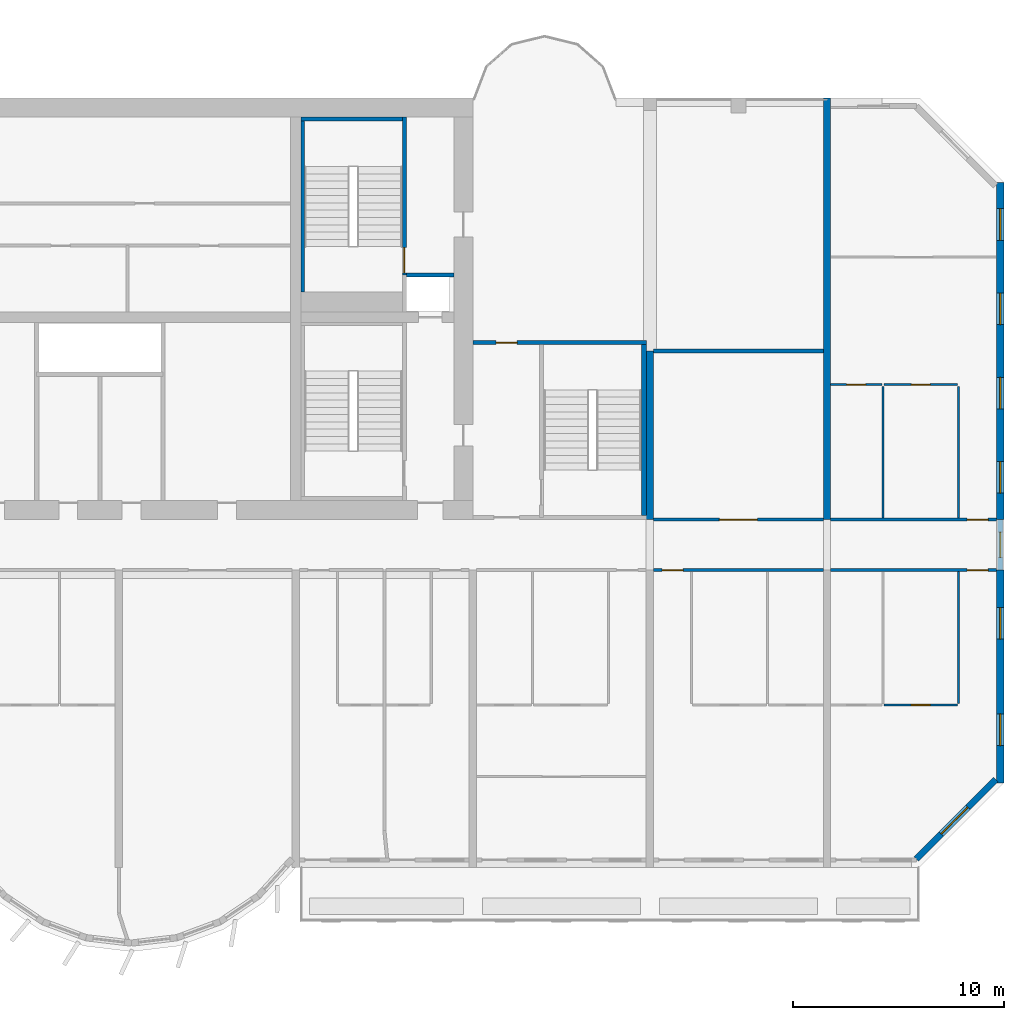
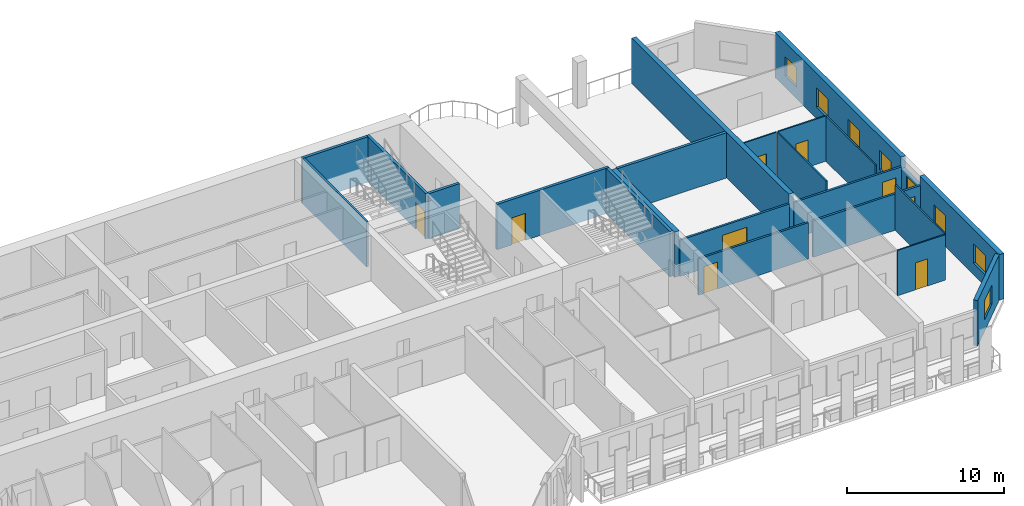
# One storey, part 10 of 14: 23 walls, 9 doors, 8 windows, 17 openings.
"""IFC4 building model written with IfcOpenShell, lengths in metres."""

from ifc_helpers import new_model, si_unit, direction, frame, frame_2d, origin, place, context, subcontext, project, spatial, rectangle, extrude, source, transform, mapped, material, layer, layer_set, type_object, element, fill, save


model = new_model("IFC4")

# Units and contexts
model_context = context("Model", 3, precision=1e-05, world=origin(), true_north=direction((0.0, 1.0)))
body_context = subcontext(model_context, "Body", "Model", "MODEL_VIEW")
ifc_project = project(units=[si_unit("LENGTHUNIT", "METRE"), si_unit("AREAUNIT", "SQUARE_METRE"), si_unit("VOLUMEUNIT", "CUBIC_METRE"), si_unit("PLANEANGLEUNIT", "RADIAN"), si_unit("MASSUNIT", "GRAM", prefix="KILO")], contexts=[model_context])

# Site, building, storey
site_placement = place(None, origin())
site = spatial("IfcSite", under=ifc_project, at=site_placement, CompositionType="ELEMENT")
building_placement = place(site_placement, origin())
building = spatial("IfcBuilding", under=site, at=building_placement, Name="Vanashikhar Sky Hotel", CompositionType="ELEMENT")
storey_placement = place(building_placement, frame((0.0, 0.0, 121.800048828125)))
storey = spatial("IfcBuildingStorey", under=building, at=storey_placement, Name="L29", CompositionType="ELEMENT", Elevation=121.800048828125)

# Wall, openings, windows
ifc_material_1 = material(Name="Concrete M70", Category="concrete")
ifc_layer_1 = layer(ifc_material_1, 0.35009765625)
ifc_layer_set_1 = layer_set([ifc_layer_1], Name="RC shear wall 350 Concrete M70")
wall_type_1 = type_object("IfcWallType", Name="RC shear wall 350 Concrete M70", PredefinedType="SHEAR", material=ifc_layer_set_1)
shared_shape_1 = source(origin(), body_context, "Body", "SweptSolid", [
    extrude(rectangle(XDim=10.10009765625, YDim=0.35009765625, at=frame_2d((5.050048828125, 0.0))), origin(), (0.0, 0.0, 1.0), 3.52001953125),
])
wall_1_placement = place(storey_placement, frame((100.625, 9.5, 0.0), z_axis=(0.0, 0.0, 1.0), x_axis=(0.0, 1.0, 0.0)))
wall_1 = element("IfcWall", 1, at=wall_1_placement, inside=storey, type_object=wall_type_1, Name="CW-L29-XW13-1", PredefinedType="SHEAR", context=body_context, shape_type="MappedRepresentation", body=[
    mapped(shared_shape_1, transform((0.0, 0.0, 0.0), scale=1.0)),
])
shared_shape_2 = source(origin(), body_context, "Body", "SweptSolid", [
    extrude(rectangle(XDim=1.5, YDim=1.5, at=frame_2d((0.75, 0.75))), frame((0.0, 0.18505859375, 0.0), z_axis=(0.0, -1.0, 0.0), x_axis=(1.0, 0.0, 0.0)), (0.0, 0.0, 1.0), 0.3701171875),
])
opening_1_placement = place(wall_1_placement, frame((1.77490234375, 0.0, 0.89990234375)))
opening_1 = element("IfcOpeningElement", 2, at=opening_1_placement, cuts=wall_1, Name="Opening WN-1", PredefinedType="OPENING", context=body_context, shape_type="MappedRepresentation", body=[
    mapped(shared_shape_2, transform((0.0, 0.0, 0.0), scale=1.0)),
])
opening_2_placement = place(wall_1_placement, frame((6.824951171875, 0.0, 0.89990234375)))
opening_2 = element("IfcOpeningElement", 3, at=opening_2_placement, cuts=wall_1, Name="Opening WN-1", PredefinedType="OPENING", context=body_context, shape_type="MappedRepresentation", body=[
    mapped(shared_shape_2, transform((0.0, 0.0, 0.0), scale=1.0)),
])
ifc_material_2 = material(Name="Glass", Category="glass")
window_type_1 = type_object("IfcWindowType", Name="Window 1500 x 1500", PartitioningType="SINGLE_PANEL", PredefinedType="WINDOW", material=ifc_material_2)
shared_shape_3 = source(origin(), body_context, "Body", "SweptSolid", [
    extrude(rectangle(XDim=1.5, YDim=1.5, at=frame_2d((0.75, 0.75))), frame((0.0, 0.030029296875, 0.0), z_axis=(0.0, -1.0, 0.0), x_axis=(1.0, 0.0, 0.0)), (0.0, 0.0, 1.0), 0.06005859375),
])
window_1_placement = place(opening_1_placement, origin())
window_1 = element("IfcWindow", 4, at=window_1_placement, inside=storey, type_object=window_type_1, Name="Window WN-1", OverallHeight=1.5, OverallWidth=1.5, PartitioningType="SINGLE_PANEL", PredefinedType="WINDOW", context=body_context, shape_type="MappedRepresentation", body=[
    mapped(shared_shape_3, transform((0.0, 0.0, 0.0), scale=1.0)),
])
fill(opening_1, window_1)
window_2_placement = place(opening_2_placement, origin())
window_2 = element("IfcWindow", 5, at=window_2_placement, inside=storey, type_object=window_type_1, Name="Window WN-1", OverallHeight=1.5, OverallWidth=1.5, PartitioningType="SINGLE_PANEL", PredefinedType="WINDOW", context=body_context, shape_type="MappedRepresentation", body=[
    mapped(shared_shape_3, transform((0.0, 0.0, 0.0), scale=1.0)),
])
fill(opening_2, window_2)

shared_shape_4 = source(origin(), body_context, "Body", "SweptSolid", [
    extrude(rectangle(XDim=16.0, YDim=0.35009765625, at=frame_2d((8.0, 0.0))), origin(), (0.0, 0.0, 1.0), 3.52001953125),
])
wall_2_placement = place(storey_placement, frame((100.625, 22.0, 0.0), z_axis=(0.0, 0.0, 1.0), x_axis=(0.0, 1.0, 0.0)))
wall_2 = element("IfcWall", 6, at=wall_2_placement, inside=storey, type_object=wall_type_1, Name="CW-L29-XW13-2", PredefinedType="SHEAR", context=body_context, shape_type="MappedRepresentation", body=[
    mapped(shared_shape_4, transform((0.0, 0.0, 0.0), scale=1.0)),
])
opening_3_placement = place(wall_2_placement, frame((1.25, 0.0, 0.89990234375)))
opening_3 = element("IfcOpeningElement", 7, at=opening_3_placement, cuts=wall_2, Name="Opening WN-1", PredefinedType="OPENING", context=body_context, shape_type="MappedRepresentation", body=[
    mapped(shared_shape_2, transform((0.0, 0.0, 0.0), scale=1.0)),
])
opening_4_placement = place(wall_2_placement, frame((5.25, 0.0, 0.89990234375)))
opening_4 = element("IfcOpeningElement", 8, at=opening_4_placement, cuts=wall_2, Name="Opening WN-1", PredefinedType="OPENING", context=body_context, shape_type="MappedRepresentation", body=[
    mapped(shared_shape_2, transform((0.0, 0.0, 0.0), scale=1.0)),
])
opening_5_placement = place(wall_2_placement, frame((9.25, 0.0, 0.89990234375)))
opening_5 = element("IfcOpeningElement", 9, at=opening_5_placement, cuts=wall_2, Name="Opening WN-1", PredefinedType="OPENING", context=body_context, shape_type="MappedRepresentation", body=[
    mapped(shared_shape_2, transform((0.0, 0.0, 0.0), scale=1.0)),
])
opening_6_placement = place(wall_2_placement, frame((13.25, 0.0, 0.89990234375)))
opening_6 = element("IfcOpeningElement", 10, at=opening_6_placement, cuts=wall_2, Name="Opening WN-1", PredefinedType="OPENING", context=body_context, shape_type="MappedRepresentation", body=[
    mapped(shared_shape_2, transform((0.0, 0.0, 0.0), scale=1.0)),
])
window_3_placement = place(opening_3_placement, origin())
window_3 = element("IfcWindow", 11, at=window_3_placement, inside=storey, type_object=window_type_1, Name="Window WN-1", OverallHeight=1.5, OverallWidth=1.5, PartitioningType="SINGLE_PANEL", PredefinedType="WINDOW", context=body_context, shape_type="MappedRepresentation", body=[
    mapped(shared_shape_3, transform((0.0, 0.0, 0.0), scale=1.0)),
])
fill(opening_3, window_3)
window_4_placement = place(opening_4_placement, origin())
window_4 = element("IfcWindow", 12, at=window_4_placement, inside=storey, type_object=window_type_1, Name="Window WN-1", OverallHeight=1.5, OverallWidth=1.5, PartitioningType="SINGLE_PANEL", PredefinedType="WINDOW", context=body_context, shape_type="MappedRepresentation", body=[
    mapped(shared_shape_3, transform((0.0, 0.0, 0.0), scale=1.0)),
])
fill(opening_4, window_4)
window_5_placement = place(opening_5_placement, origin())
window_5 = element("IfcWindow", 13, at=window_5_placement, inside=storey, type_object=window_type_1, Name="Window WN-1", OverallHeight=1.5, OverallWidth=1.5, PartitioningType="SINGLE_PANEL", PredefinedType="WINDOW", context=body_context, shape_type="MappedRepresentation", body=[
    mapped(shared_shape_3, transform((0.0, 0.0, 0.0), scale=1.0)),
])
fill(opening_5, window_5)
window_6_placement = place(opening_6_placement, origin())
window_6 = element("IfcWindow", 14, at=window_6_placement, inside=storey, type_object=window_type_1, Name="Window WN-1", OverallHeight=1.5, OverallWidth=1.5, PartitioningType="SINGLE_PANEL", PredefinedType="WINDOW", context=body_context, shape_type="MappedRepresentation", body=[
    mapped(shared_shape_3, transform((0.0, 0.0, 0.0), scale=1.0)),
])
fill(opening_6, window_6)

# Walls
shared_shape_5 = source(origin(), body_context, "Body", "SweptSolid", [
    extrude(rectangle(XDim=20.0, YDim=0.35009765625, at=frame_2d((10.0, 0.0))), origin(), (0.0, 0.0, 1.0), 3.52001953125),
])
wall_3_placement = place(storey_placement, frame((92.39990234375, 22.0, 0.0), z_axis=(0.0, 0.0, 1.0), x_axis=(0.0, 1.0, 0.0)))
element("IfcWall", 15, at=wall_3_placement, inside=storey, type_object=wall_type_1, Name="CW-L29-XW12-2", PredefinedType="SHEAR", context=body_context, shape_type="MappedRepresentation", body=[
    mapped(shared_shape_5, transform((0.0, 0.0, 0.0), scale=1.0)),
])
shared_shape_6 = source(origin(), body_context, "Body", "SweptSolid", [
    extrude(rectangle(XDim=8.0, YDim=0.35009765625, at=frame_2d((4.0, 0.0))), origin(), (0.0, 0.0, 1.0), 3.52001953125),
])
wall_4_placement = place(storey_placement, frame((84.0, 22.0, 0.0), z_axis=(0.0, 0.0, 1.0), x_axis=(0.0, 1.0, 0.0)))
element("IfcWall", 16, at=wall_4_placement, inside=storey, type_object=wall_type_1, Name="CW-L29-XW11-2", PredefinedType="SHEAR", context=body_context, shape_type="MappedRepresentation", body=[
    mapped(shared_shape_6, transform((0.0, 0.0, 0.0), scale=1.0)),
])

# Wall, opening, window
ifc_material_3 = material(Name="Concrete M50", Category="concrete")
ifc_layer_2 = layer(ifc_material_3, 0.300048828125)
ifc_layer_set_2 = layer_set([ifc_layer_2], Name="Lobe wall 300")
wall_type_2 = type_object("IfcWallType", Name="Lobe wall 300", PredefinedType="SOLIDWALL", material=ifc_layer_set_2)
shared_shape_7 = source(origin(), body_context, "Body", "SweptSolid", [
    extrude(rectangle(XDim=5.32568359375, YDim=0.300048828125, at=frame_2d((2.662841796875, 0.0))), origin(), (0.0, 0.0, 1.0), 3.52001953125),
])
wall_5_placement = place(storey_placement, frame((96.63427734375, 5.89990234375, 0.0), z_axis=(0.0, 0.0, 1.0), x_axis=(0.707083859269, 0.707129702361, 0.0)))
wall_5 = element("IfcWall", 17, at=wall_5_placement, inside=storey, type_object=wall_type_2, Name="Corner wall", PredefinedType="SOLIDWALL", context=body_context, shape_type="MappedRepresentation", body=[
    mapped(shared_shape_7, transform((0.0, 0.0, 0.0), scale=1.0)),
])
shared_shape_8 = source(origin(), body_context, "Body", "SweptSolid", [
    extrude(rectangle(XDim=1.800048828125, YDim=1.5, at=frame_2d((0.89990234375, 0.75))), frame((0.0, 0.16015625, 0.0), z_axis=(0.0, -1.0, 0.0), x_axis=(1.0, 0.0, 0.0)), (0.0, 0.0, 1.0), 0.320068359375),
])
opening_7_placement = place(wall_5_placement, frame((1.671875, 0.0, 0.89990234375)))
opening_7 = element("IfcOpeningElement", 18, at=opening_7_placement, cuts=wall_5, Name="Opening WN-4", PredefinedType="OPENING", context=body_context, shape_type="MappedRepresentation", body=[
    mapped(shared_shape_8, transform((0.0, 0.0, 0.0), scale=1.0)),
])
window_type_2 = type_object("IfcWindowType", Name="Corner window 1800 x 1500", PartitioningType="SINGLE_PANEL", PredefinedType="WINDOW", material=ifc_material_2)
shared_shape_9 = source(origin(), body_context, "Body", "SweptSolid", [
    extrude(rectangle(XDim=1.800048828125, YDim=1.5, at=frame_2d((0.89990234375, 0.75))), frame((0.0, 0.030029296875, 0.0), z_axis=(0.0, -1.0, 0.0), x_axis=(1.0, 0.0, 0.0)), (0.0, 0.0, 1.0), 0.06005859375),
])
window_7_placement = place(opening_7_placement, origin())
window_7 = element("IfcWindow", 19, at=window_7_placement, inside=storey, type_object=window_type_2, Name="Window WN-4", OverallHeight=1.5, OverallWidth=1.800048828125, PartitioningType="SINGLE_PANEL", PredefinedType="WINDOW", context=body_context, shape_type="MappedRepresentation", body=[
    mapped(shared_shape_9, transform((0.0, 0.0, 0.0), scale=1.0)),
])
fill(opening_7, window_7)

ifc_layer_3 = layer(ifc_material_3, 0.25)
ifc_layer_set_3 = layer_set([ifc_layer_3], Name="Rear and end board-marked wall 250")
wall_type_3 = type_object("IfcWallType", Name="Rear and end board-marked wall 250", PredefinedType="SOLIDWALL", material=ifc_layer_set_3)
shared_shape_10 = source(origin(), body_context, "Body", "SweptSolid", [
    extrude(rectangle(XDim=2.39990234375, YDim=0.25, at=frame_2d((1.199951171875, 0.0))), origin(), (0.0, 0.0, 1.0), 2.619873046875),
])
wall_6_placement = place(storey_placement, frame((100.625, 19.60009765625, 0.0), z_axis=(0.0, 0.0, 1.0), x_axis=(0.0, 1.0, 0.0)))
wall_6 = element("IfcWall", 20, at=wall_6_placement, inside=storey, type_object=wall_type_3, Name="End corridor infill wall", PredefinedType="SOLIDWALL", context=body_context, shape_type="MappedRepresentation", body=[
    mapped(shared_shape_10, transform((0.0, 0.0, 0.0), scale=1.0)),
])
shared_shape_11 = source(origin(), body_context, "Body", "SweptSolid", [
    extrude(rectangle(XDim=1.199951171875, YDim=1.5, at=frame_2d((0.60009765625, 0.75))), frame((0.0, 0.135009765625, 0.0), z_axis=(0.0, -1.0, 0.0), x_axis=(1.0, 0.0, 0.0)), (0.0, 0.0, 1.0), 0.27001953125),
])
opening_8_placement = place(wall_6_placement, frame((0.60009765625, 0.0, 0.89990234375)))
opening_8 = element("IfcOpeningElement", 21, at=opening_8_placement, cuts=wall_6, Name="Opening WN-3", PredefinedType="OPENING", context=body_context, shape_type="MappedRepresentation", body=[
    mapped(shared_shape_11, transform((0.0, 0.0, 0.0), scale=1.0)),
])
window_type_3 = type_object("IfcWindowType", Name="Corridor end window 1200 x 1500", PartitioningType="SINGLE_PANEL", PredefinedType="WINDOW", material=ifc_material_2)
shared_shape_12 = source(origin(), body_context, "Body", "SweptSolid", [
    extrude(rectangle(XDim=1.199951171875, YDim=1.5, at=frame_2d((0.60009765625, 0.75))), frame((0.0, 0.030029296875, 0.0), z_axis=(0.0, -1.0, 0.0), x_axis=(1.0, 0.0, 0.0)), (0.0, 0.0, 1.0), 0.06005859375),
])
window_8_placement = place(opening_8_placement, origin())
window_8 = element("IfcWindow", 22, at=window_8_placement, inside=storey, type_object=window_type_3, Name="Window WN-3", OverallHeight=1.5, OverallWidth=1.199951171875, PartitioningType="SINGLE_PANEL", PredefinedType="WINDOW", context=body_context, shape_type="MappedRepresentation", body=[
    mapped(shared_shape_12, transform((0.0, 0.0, 0.0), scale=1.0)),
])
fill(opening_8, window_8)

# Wall, opening, door
ifc_layer_4 = layer(ifc_material_3, 0.199951171875)
ifc_layer_set_4 = layer_set([ifc_layer_4], Name="Stair wall 200")
wall_type_4 = type_object("IfcWallType", Name="Stair wall 200", PredefinedType="SOLIDWALL", material=ifc_layer_set_4)
shared_shape_13 = source(origin(), body_context, "Body", "SweptSolid", [
    extrude(rectangle(XDim=7.5, YDim=0.199951171875, at=frame_2d((3.75, 0.0))), origin(), (0.0, 0.0, 1.0), 3.52001953125),
])
wall_7_placement = place(storey_placement, frame((72.35009765625, 33.60009765625, 0.0), z_axis=(0.0, 0.0, 1.0), x_axis=(0.0, 1.0, 0.0)))
wall_7 = element("IfcWall", 23, at=wall_7_placement, inside=storey, type_object=wall_type_4, Name="Stair wall 200", PredefinedType="SOLIDWALL", context=body_context, shape_type="MappedRepresentation", body=[
    mapped(shared_shape_13, transform((0.0, 0.0, 0.0), scale=1.0)),
])
shared_shape_14 = source(origin(), body_context, "Body", "SweptSolid", [
    extrude(rectangle(XDim=1.199951171875, YDim=2.10009765625, at=frame_2d((0.60009765625, 1.050048828125))), frame((0.0, 0.10986328125, 0.0), z_axis=(0.0, -1.0, 0.0), x_axis=(1.0, 0.0, 0.0)), (0.0, 0.0, 1.0), 0.219970703125),
])
opening_9_placement = place(wall_7_placement, frame((0.10009765625, 0.0, 0.0)))
opening_9 = element("IfcOpeningElement", 24, at=opening_9_placement, cuts=wall_7, Name="Opening DC-1", PredefinedType="OPENING", context=body_context, shape_type="MappedRepresentation", body=[
    mapped(shared_shape_14, transform((0.0, 0.0, 0.0), scale=1.0)),
])
ifc_material_4 = material(Name="Steel", Category="steel")
door_type_1 = type_object("IfcDoorType", Name="Stair door 1200 FD120", OperationType="NOTDEFINED", PredefinedType="DOOR", material=ifc_material_4)
shared_shape_15 = source(origin(), body_context, "Body", "SweptSolid", [
    extrude(rectangle(XDim=1.199951171875, YDim=2.10009765625, at=frame_2d((0.60009765625, 1.050048828125))), frame((0.0, 0.02490234375, 0.0), z_axis=(0.0, -1.0, 0.0), x_axis=(1.0, 0.0, 0.0)), (0.0, 0.0, 1.0), 0.050048828125),
])
door_1_placement = place(opening_9_placement, origin())
door_1 = element("IfcDoor", 25, at=door_1_placement, inside=storey, type_object=door_type_1, Name="Stair door 1200 FD120", OperationType="SINGLE_SWING_RIGHT", OverallHeight=2.10009765625, OverallWidth=1.199951171875, PredefinedType="DOOR", context=body_context, shape_type="MappedRepresentation", body=[
    mapped(shared_shape_15, transform((0.0, 0.0, 0.0), scale=1.0)),
])
fill(opening_9, door_1)

# Wall
ifc_material_5 = material(Name="Concrete M40", Category="concrete")
ifc_layer_5 = layer(ifc_material_5, 0.199951171875)
ifc_layer_set_5 = layer_set([ifc_layer_5], Name="Shaft wall 200")
wall_type_5 = type_object("IfcWallType", Name="Shaft wall 200", PredefinedType="SOLIDWALL", material=ifc_layer_set_5)
shared_shape_16 = source(origin(), body_context, "Body", "SweptSolid", [
    extrude(rectangle(XDim=2.25, YDim=0.199951171875, at=frame_2d((1.125, 0.0))), origin(), (0.0, 0.0, 1.0), 3.52001953125),
])
wall_8_placement = place(storey_placement, frame((72.449951171875, 33.60009765625, 0.0), z_axis=(0.0, 0.0, 1.0), x_axis=(1.0, 0.0, 0.0)))
element("IfcWall", 26, at=wall_8_placement, inside=storey, type_object=wall_type_5, Name="Shaft wall 200", PredefinedType="SOLIDWALL", context=body_context, shape_type="MappedRepresentation", body=[
    mapped(shared_shape_16, transform((0.0, 0.0, 0.0), scale=1.0)),
])

# Wall, opening, door
shared_shape_17 = source(origin(), body_context, "Body", "SweptSolid", [
    extrude(rectangle(XDim=8.224853515625, YDim=0.199951171875, at=frame_2d((4.1123046875, 0.0))), origin(), (0.0, 0.0, 1.0), 3.52001953125),
])
wall_9_placement = place(storey_placement, frame((83.824951171875, 30.39990234375, 0.0), z_axis=(0.0, 0.0, 1.0), x_axis=(-1.0, 0.0, 0.0)))
wall_9 = element("IfcWall", 27, at=wall_9_placement, inside=storey, type_object=wall_type_4, Name="Stair wall 200", PredefinedType="SOLIDWALL", context=body_context, shape_type="MappedRepresentation", body=[
    mapped(shared_shape_17, transform((0.0, 0.0, 0.0), scale=1.0)),
])
shared_shape_18 = source(origin(), body_context, "Body", "SweptSolid", [
    extrude(rectangle(XDim=1.0, YDim=2.10009765625, at=frame_2d((0.5, 1.050048828125))), frame((0.0, 0.10986328125, 0.0), z_axis=(0.0, -1.0, 0.0), x_axis=(1.0, 0.0, 0.0)), (0.0, 0.0, 1.0), 0.219970703125),
])
opening_10_placement = place(wall_9_placement, frame((6.125, 0.0, 0.0)))
opening_10 = element("IfcOpeningElement", 28, at=opening_10_placement, cuts=wall_9, Name="Opening DC-6", PredefinedType="OPENING", context=body_context, shape_type="MappedRepresentation", body=[
    mapped(shared_shape_18, transform((0.0, 0.0, 0.0), scale=1.0)),
])
door_type_2 = type_object("IfcDoorType", Name="Pocket door 1000 FD60", OperationType="NOTDEFINED", PredefinedType="DOOR", material=ifc_material_4)
shared_shape_19 = source(origin(), body_context, "Body", "SweptSolid", [
    extrude(rectangle(XDim=1.0, YDim=2.10009765625, at=frame_2d((0.5, 1.050048828125))), frame((0.0, 0.02490234375, 0.0), z_axis=(0.0, -1.0, 0.0), x_axis=(1.0, 0.0, 0.0)), (0.0, 0.0, 1.0), 0.050048828125),
])
door_2_placement = place(opening_10_placement, origin())
door_2 = element("IfcDoor", 29, at=door_2_placement, inside=storey, type_object=door_type_2, Name="Pocket door 1000 FD60", OperationType="SINGLE_SWING_RIGHT", OverallHeight=2.10009765625, OverallWidth=1.0, PredefinedType="DOOR", context=body_context, shape_type="MappedRepresentation", body=[
    mapped(shared_shape_19, transform((0.0, 0.0, 0.0), scale=1.0)),
])
fill(opening_10, door_2)

# Walls
ifc_layer_6 = layer(ifc_material_3, 0.199951171875)
ifc_layer_set_6 = layer_set([ifc_layer_6], Name="Stair infill wall 200")
wall_type_6 = type_object("IfcWallType", Name="Stair infill wall 200", PredefinedType="SOLIDWALL", material=ifc_layer_set_6)
shared_shape_20 = source(origin(), body_context, "Body", "SweptSolid", [
    extrude(rectangle(XDim=4.800048828125, YDim=0.199951171875, at=frame_2d((2.39990234375, 0.0))), origin(), (0.0, 0.0, 1.0), 3.52001953125),
])
wall_10_placement = place(storey_placement, frame((67.449951171875, 41.0, 0.0), z_axis=(0.0, 0.0, 1.0), x_axis=(1.0, 0.0, 0.0)))
element("IfcWall", 30, at=wall_10_placement, inside=storey, type_object=wall_type_6, Name="Stair infill wall 200", PredefinedType="SOLIDWALL", context=body_context, shape_type="MappedRepresentation", body=[
    mapped(shared_shape_20, transform((0.0, 0.0, 0.0), scale=1.0)),
])
ifc_layer_7 = layer(ifc_material_3, 0.14990234375)
ifc_layer_set_7 = layer_set([ifc_layer_7], Name="Stair infill wall 150")
wall_type_7 = type_object("IfcWallType", Name="Stair infill wall 150", PredefinedType="SOLIDWALL", material=ifc_layer_set_7)
shared_shape_21 = source(origin(), body_context, "Body", "SweptSolid", [
    extrude(rectangle(XDim=8.099853515625, YDim=0.14990234375, at=frame_2d((4.0498046875, 0.0))), origin(), (0.0, 0.0, 1.0), 3.52001953125),
])
wall_11_placement = place(storey_placement, frame((67.52490234375, 32.800048828125, 0.0), z_axis=(0.0, 0.0, 1.0), x_axis=(0.0, 1.0, 0.0)))
element("IfcWall", 31, at=wall_11_placement, inside=storey, type_object=wall_type_7, Name="Stair infill wall 150", PredefinedType="SOLIDWALL", context=body_context, shape_type="MappedRepresentation", body=[
    mapped(shared_shape_21, transform((0.0, 0.0, 0.0), scale=1.0)),
])
ifc_layer_8 = layer(ifc_material_3, 0.22509765625)
ifc_layer_set_8 = layer_set([ifc_layer_8], Name="Stair infill wall 225")
wall_type_8 = type_object("IfcWallType", Name="Stair infill wall 225", PredefinedType="SOLIDWALL", material=ifc_layer_set_8)
shared_shape_22 = source(origin(), body_context, "Body", "SweptSolid", [
    extrude(rectangle(XDim=8.10009765625, YDim=0.22509765625, at=frame_2d((4.050048828125, 0.0))), origin(), (0.0, 0.0, 1.0), 3.52001953125),
])
wall_12_placement = place(storey_placement, frame((83.712890625, 22.199951171875, 0.0), z_axis=(0.0, 0.0, 1.0), x_axis=(0.0, 1.0, 0.0)))
element("IfcWall", 32, at=wall_12_placement, inside=storey, type_object=wall_type_8, Name="Stair infill wall 225", PredefinedType="SOLIDWALL", context=body_context, shape_type="MappedRepresentation", body=[
    mapped(shared_shape_22, transform((0.0, 0.0, 0.0), scale=1.0)),
])

# Wall, opening, door
ifc_material_6 = material(Name="Gypsum plasterboard partition")
ifc_layer_9 = layer(ifc_material_6, 0.10009765625)
ifc_layer_set_9 = layer_set([ifc_layer_9], Name="Wet room partition 100")
wall_type_9 = type_object("IfcWallType", Name="Wet room partition 100", PredefinedType="PARTITIONING", material=ifc_layer_set_9)
shared_shape_23 = source(origin(), body_context, "Body", "SweptSolid", [
    extrude(rectangle(XDim=3.5, YDim=0.10009765625, at=frame_2d((1.75, 0.0))), origin(), (0.0, 0.0, 1.0), 3.52001953125),
])
wall_13_placement = place(storey_placement, frame((95.10009765625, 13.199951171875, 0.0), z_axis=(0.0, 0.0, 1.0), x_axis=(1.0, 0.0, 0.0)))
wall_13 = element("IfcWall", 33, at=wall_13_placement, inside=storey, type_object=wall_type_9, Name="W-L29-PW054", PredefinedType="PARTITIONING", context=body_context, shape_type="MappedRepresentation", body=[
    mapped(shared_shape_23, transform((0.0, 0.0, 0.0), scale=1.0)),
])
shared_shape_24 = source(origin(), body_context, "Body", "SweptSolid", [
    extrude(rectangle(XDim=0.89990234375, YDim=2.10009765625, at=frame_2d((0.449951171875, 1.050048828125))), frame((0.0, 0.06005859375, 0.0), z_axis=(0.0, -1.0, 0.0), x_axis=(1.0, 0.0, 0.0)), (0.0, 0.0, 1.0), 0.1201171875),
])
opening_11_placement = place(wall_13_placement, frame((1.300048828125, 0.0, 0.0)))
opening_11 = element("IfcOpeningElement", 34, at=opening_11_placement, cuts=wall_13, Name="Opening D-02", PredefinedType="OPENING", context=body_context, shape_type="MappedRepresentation", body=[
    mapped(shared_shape_24, transform((0.0, 0.0, 0.0), scale=1.0)),
])
ifc_material_7 = material(Name="Timber door", Category="wood")
door_type_3 = type_object("IfcDoorType", Name="Internal door 900", OperationType="NOTDEFINED", PredefinedType="DOOR", material=ifc_material_7)
shared_shape_25 = source(origin(), body_context, "Body", "SweptSolid", [
    extrude(rectangle(XDim=0.89990234375, YDim=2.10009765625, at=frame_2d((0.449951171875, 1.050048828125))), frame((0.0, 0.02490234375, 0.0), z_axis=(0.0, -1.0, 0.0), x_axis=(1.0, 0.0, 0.0)), (0.0, 0.0, 1.0), 0.050048828125),
])
door_3_placement = place(opening_11_placement, origin())
door_3 = element("IfcDoor", 35, at=door_3_placement, inside=storey, type_object=door_type_3, Name="D-L29-033", OperationType="SINGLE_SWING_RIGHT", OverallHeight=2.10009765625, OverallWidth=0.89990234375, PredefinedType="DOOR", context=body_context, shape_type="MappedRepresentation", body=[
    mapped(shared_shape_25, transform((0.0, 0.0, 0.0), scale=1.0)),
])
fill(opening_11, door_3)

wall_14_placement = place(storey_placement, frame((95.10009765625, 28.39990234375, 0.0), z_axis=(0.0, 0.0, 1.0), x_axis=(1.0, 0.0, 0.0)))
wall_14 = element("IfcWall", 36, at=wall_14_placement, inside=storey, type_object=wall_type_9, Name="W-L29-PW075", PredefinedType="PARTITIONING", context=body_context, shape_type="MappedRepresentation", body=[
    mapped(shared_shape_23, transform((0.0, 0.0, 0.0), scale=1.0)),
])
opening_12_placement = place(wall_14_placement, frame((1.300048828125, 0.0, 0.0)))
opening_12 = element("IfcOpeningElement", 37, at=opening_12_placement, cuts=wall_14, Name="Opening D-02", PredefinedType="OPENING", context=body_context, shape_type="MappedRepresentation", body=[
    mapped(shared_shape_24, transform((0.0, 0.0, 0.0), scale=1.0)),
])
door_4_placement = place(opening_12_placement, origin())
door_4 = element("IfcDoor", 38, at=door_4_placement, inside=storey, type_object=door_type_3, Name="D-L29-044", OperationType="SINGLE_SWING_RIGHT", OverallHeight=2.10009765625, OverallWidth=0.89990234375, PredefinedType="DOOR", context=body_context, shape_type="MappedRepresentation", body=[
    mapped(shared_shape_25, transform((0.0, 0.0, 0.0), scale=1.0)),
])
fill(opening_12, door_4)

# Walls
shared_shape_26 = source(origin(), body_context, "Body", "SweptSolid", [
    extrude(rectangle(XDim=6.25, YDim=0.10009765625, at=frame_2d((3.125, 0.0))), origin(), (0.0, 0.0, 1.0), 3.52001953125),
])
for number, where, z_axis, x_axis, name in (
    (39, (98.64990234375, 13.27490234375, 0.0), (0.0, 0.0, 1.0), (0.0, 1.0, 0.0), "W-L29-PW052"),
    (40, (98.64990234375, 22.074951171875, 0.0), (0.0, 0.0, 1.0), (0.0, 1.0, 0.0), "W-L29-PW073"),
    (41, (95.050048828125, 22.074951171875, 0.0), (0.0, 0.0, 1.0), (0.0, 1.0, 0.0), "W-L29-PW074"),
):
    element("IfcWall", number, at=place(storey_placement, frame(where, z_axis=z_axis, x_axis=x_axis)), inside=storey, type_object=wall_type_9, Name=name, PredefinedType="PARTITIONING", context=body_context, shape_type="MappedRepresentation", body=[
        mapped(shared_shape_26, transform((0.0, 0.0, 0.0), scale=1.0)),
    ])

# Wall, opening, door
ifc_layer_10 = layer(ifc_material_6, 0.14990234375)
ifc_layer_set_10 = layer_set([ifc_layer_10], Name="Corridor and demising partition 150")
wall_type_10 = type_object("IfcWallType", Name="Corridor and demising partition 150", PredefinedType="PARTITIONING", material=ifc_layer_set_10)
shared_shape_27 = source(origin(), body_context, "Body", "SweptSolid", [
    extrude(rectangle(XDim=8.050048828125, YDim=0.14990234375, at=frame_2d((4.02490234375, 0.0))), origin(), (0.0, 0.0, 1.0), 2.820068359375),
])
wall_15_placement = place(storey_placement, frame((84.175048828125, 19.60009765625, 0.0), z_axis=(0.0, 0.0, 1.0), x_axis=(1.0, 0.0, 0.0)))
wall_15 = element("IfcWall", 42, at=wall_15_placement, inside=storey, type_object=wall_type_10, Name="W-L29-PW051", PredefinedType="PARTITIONING", context=body_context, shape_type="MappedRepresentation", body=[
    mapped(shared_shape_27, transform((0.0, 0.0, 0.0), scale=1.0)),
])
shared_shape_28 = source(origin(), body_context, "Body", "SweptSolid", [
    extrude(rectangle(XDim=1.0, YDim=2.10009765625, at=frame_2d((0.5, 1.050048828125))), frame((0.0, 0.0849609375, 0.0), z_axis=(0.0, -1.0, 0.0), x_axis=(1.0, 0.0, 0.0)), (0.0, 0.0, 1.0), 0.169921875),
])
opening_13_placement = place(wall_15_placement, frame((0.39990234375, 0.0, 0.0)))
opening_13 = element("IfcOpeningElement", 43, at=opening_13_placement, cuts=wall_15, Name="Opening D-01", PredefinedType="OPENING", context=body_context, shape_type="MappedRepresentation", body=[
    mapped(shared_shape_28, transform((0.0, 0.0, 0.0), scale=1.0)),
])
ifc_material_8 = material(Name="Timber fire door", Category="wood")
door_type_4 = type_object("IfcDoorType", Name="Guest entry door 1000 FD30S", OperationType="NOTDEFINED", PredefinedType="DOOR", material=ifc_material_8)
door_5_placement = place(opening_13_placement, origin())
door_5 = element("IfcDoor", 44, at=door_5_placement, inside=storey, type_object=door_type_4, Name="D-L29-032", OperationType="SINGLE_SWING_LEFT", OverallHeight=2.10009765625, OverallWidth=1.0, PredefinedType="DOOR", context=body_context, shape_type="MappedRepresentation", body=[
    mapped(shared_shape_19, transform((0.0, 0.0, 0.0), scale=1.0)),
])
fill(opening_13, door_5)

wall_16_placement = place(storey_placement, frame((84.175048828125, 22.0, 0.0), z_axis=(0.0, 0.0, 1.0), x_axis=(1.0, 0.0, 0.0)))
wall_16 = element("IfcWall", 45, at=wall_16_placement, inside=storey, type_object=wall_type_10, Name="W-L29-PW071", PredefinedType="PARTITIONING", context=body_context, shape_type="MappedRepresentation", body=[
    mapped(shared_shape_27, transform((0.0, 0.0, 0.0), scale=1.0)),
])
shared_shape_29 = source(origin(), body_context, "Body", "SweptSolid", [
    extrude(rectangle(XDim=1.800048828125, YDim=2.10009765625, at=frame_2d((0.89990234375, 1.050048828125))), frame((0.0, 0.0849609375, 0.0), z_axis=(0.0, -1.0, 0.0), x_axis=(1.0, 0.0, 0.0)), (0.0, 0.0, 1.0), 0.169921875),
])
opening_14_placement = place(wall_16_placement, frame((3.125, 0.0, 0.0)))
opening_14 = element("IfcOpeningElement", 46, at=opening_14_placement, cuts=wall_16, Name="Opening D-03", PredefinedType="OPENING", context=body_context, shape_type="MappedRepresentation", body=[
    mapped(shared_shape_29, transform((0.0, 0.0, 0.0), scale=1.0)),
])
door_type_5 = type_object("IfcDoorType", Name="Double leaf door 1800 FD30S", OperationType="NOTDEFINED", PredefinedType="DOOR", material=ifc_material_8)
shared_shape_30 = source(origin(), body_context, "Body", "SweptSolid", [
    extrude(rectangle(XDim=1.800048828125, YDim=2.10009765625, at=frame_2d((0.89990234375, 1.050048828125))), frame((0.0, 0.02490234375, 0.0), z_axis=(0.0, -1.0, 0.0), x_axis=(1.0, 0.0, 0.0)), (0.0, 0.0, 1.0), 0.050048828125),
])
door_6_placement = place(opening_14_placement, origin())
door_6 = element("IfcDoor", 47, at=door_6_placement, inside=storey, type_object=door_type_5, Name="D-L29-043", OperationType="DOUBLE_DOOR_SINGLE_SWING", OverallHeight=2.10009765625, OverallWidth=1.800048828125, PredefinedType="DOOR", context=body_context, shape_type="MappedRepresentation", body=[
    mapped(shared_shape_30, transform((0.0, 0.0, 0.0), scale=1.0)),
])
fill(opening_14, door_6)

# Wall
ifc_material_9 = material(Name="Masonry partition", Category="masonry")
ifc_layer_11 = layer(ifc_material_9, 0.199951171875)
ifc_layer_set_11 = layer_set([ifc_layer_11], Name="Refuge enclosure wall 200")
wall_type_11 = type_object("IfcWallType", Name="Refuge enclosure wall 200", PredefinedType="PARTITIONING", material=ifc_layer_set_11)
shared_shape_31 = source(origin(), body_context, "Body", "SweptSolid", [
    extrude(rectangle(XDim=8.050048828125, YDim=0.199951171875, at=frame_2d((4.02490234375, 0.0))), origin(), (0.0, 0.0, 1.0), 3.52001953125),
])
wall_17_placement = place(storey_placement, frame((84.175048828125, 30.0, 0.0), z_axis=(0.0, 0.0, 1.0), x_axis=(1.0, 0.0, 0.0)))
element("IfcWall", 48, at=wall_17_placement, inside=storey, type_object=wall_type_11, Name="W-L29-PW072", PredefinedType="PARTITIONING", context=body_context, shape_type="MappedRepresentation", body=[
    mapped(shared_shape_31, transform((0.0, 0.0, 0.0), scale=1.0)),
])

# Wall, opening, door
shared_shape_32 = source(origin(), body_context, "Body", "SweptSolid", [
    extrude(rectangle(XDim=7.875, YDim=0.14990234375, at=frame_2d((3.9375, 0.0))), origin(), (0.0, 0.0, 1.0), 2.820068359375),
])
wall_18_placement = place(storey_placement, frame((92.574951171875, 19.60009765625, 0.0), z_axis=(0.0, 0.0, 1.0), x_axis=(1.0, 0.0, 0.0)))
wall_18 = element("IfcWall", 49, at=wall_18_placement, inside=storey, type_object=wall_type_10, Name="W-L29-PW056", PredefinedType="PARTITIONING", context=body_context, shape_type="MappedRepresentation", body=[
    mapped(shared_shape_32, transform((0.0, 0.0, 0.0), scale=1.0)),
])
opening_15_placement = place(wall_18_placement, frame((6.47509765625, 0.0, 0.0)))
opening_15 = element("IfcOpeningElement", 50, at=opening_15_placement, cuts=wall_18, Name="Opening D-01", PredefinedType="OPENING", context=body_context, shape_type="MappedRepresentation", body=[
    mapped(shared_shape_28, transform((0.0, 0.0, 0.0), scale=1.0)),
])
door_7_placement = place(opening_15_placement, origin())
door_7 = element("IfcDoor", 51, at=door_7_placement, inside=storey, type_object=door_type_4, Name="D-L29-035", OperationType="SINGLE_SWING_RIGHT", OverallHeight=2.10009765625, OverallWidth=1.0, PredefinedType="DOOR", context=body_context, shape_type="MappedRepresentation", body=[
    mapped(shared_shape_19, transform((0.0, 0.0, 0.0), scale=1.0)),
])
fill(opening_15, door_7)

wall_19_placement = place(storey_placement, frame((92.574951171875, 22.0, 0.0), z_axis=(0.0, 0.0, 1.0), x_axis=(1.0, 0.0, 0.0)))
wall_19 = element("IfcWall", 52, at=wall_19_placement, inside=storey, type_object=wall_type_10, Name="W-L29-PW078", PredefinedType="PARTITIONING", context=body_context, shape_type="MappedRepresentation", body=[
    mapped(shared_shape_32, transform((0.0, 0.0, 0.0), scale=1.0)),
])
opening_16_placement = place(wall_19_placement, frame((6.47509765625, 0.0, 0.0)))
opening_16 = element("IfcOpeningElement", 53, at=opening_16_placement, cuts=wall_19, Name="Opening D-01", PredefinedType="OPENING", context=body_context, shape_type="MappedRepresentation", body=[
    mapped(shared_shape_28, transform((0.0, 0.0, 0.0), scale=1.0)),
])
door_8_placement = place(opening_16_placement, origin())
door_8 = element("IfcDoor", 54, at=door_8_placement, inside=storey, type_object=door_type_4, Name="D-L29-047", OperationType="SINGLE_SWING_RIGHT", OverallHeight=2.10009765625, OverallWidth=1.0, PredefinedType="DOOR", context=body_context, shape_type="MappedRepresentation", body=[
    mapped(shared_shape_19, transform((0.0, 0.0, 0.0), scale=1.0)),
])
fill(opening_16, door_8)

shared_shape_33 = source(origin(), body_context, "Body", "SweptSolid", [
    extrude(rectangle(XDim=2.425048828125, YDim=0.10009765625, at=frame_2d((1.21240234375, 0.0))), origin(), (0.0, 0.0, 1.0), 3.52001953125),
])
wall_20_placement = place(storey_placement, frame((92.574951171875, 28.39990234375, 0.0), z_axis=(0.0, 0.0, 1.0), x_axis=(1.0, 0.0, 0.0)))
wall_20 = element("IfcWall", 55, at=wall_20_placement, inside=storey, type_object=wall_type_9, Name="W-L29-PW076", PredefinedType="PARTITIONING", context=body_context, shape_type="MappedRepresentation", body=[
    mapped(shared_shape_33, transform((0.0, 0.0, 0.0), scale=1.0)),
])
opening_17_placement = place(wall_20_placement, frame((0.762939453125, 0.0, 0.0)))
opening_17 = element("IfcOpeningElement", 56, at=opening_17_placement, cuts=wall_20, Name="Opening D-02", PredefinedType="OPENING", context=body_context, shape_type="MappedRepresentation", body=[
    mapped(shared_shape_24, transform((0.0, 0.0, 0.0), scale=1.0)),
])
door_9_placement = place(opening_17_placement, origin())
door_9 = element("IfcDoor", 57, at=door_9_placement, inside=storey, type_object=door_type_3, Name="D-L29-045", OperationType="SINGLE_SWING_RIGHT", OverallHeight=2.10009765625, OverallWidth=0.89990234375, PredefinedType="DOOR", context=body_context, shape_type="MappedRepresentation", body=[
    mapped(shared_shape_25, transform((0.0, 0.0, 0.0), scale=1.0)),
])
fill(opening_17, door_9)

save(model, "model.ifc")
